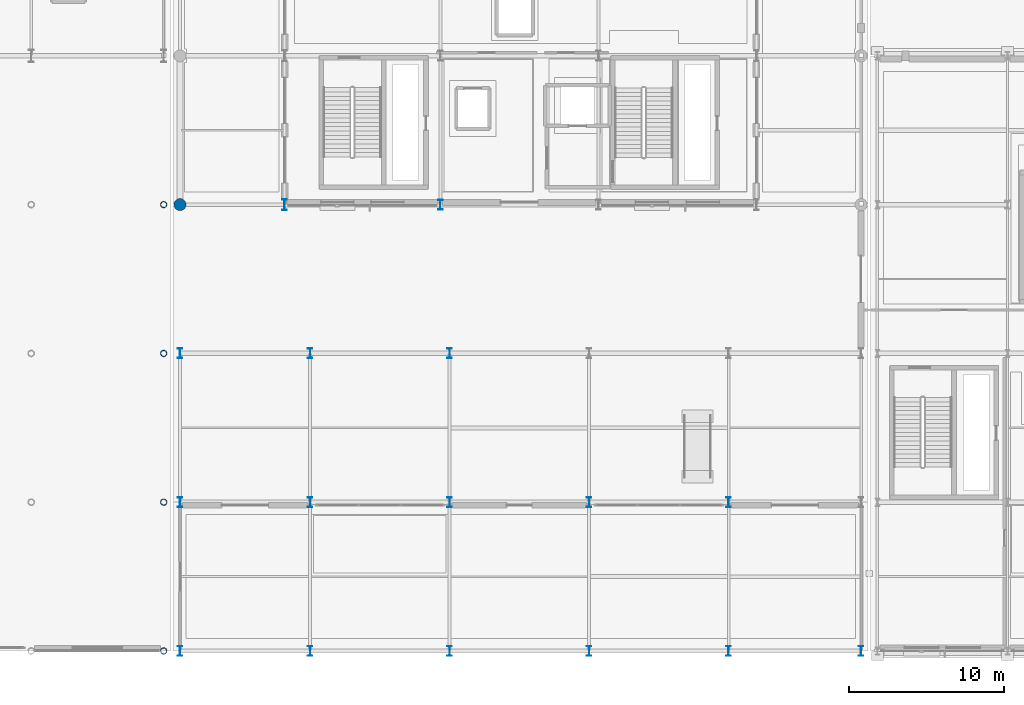
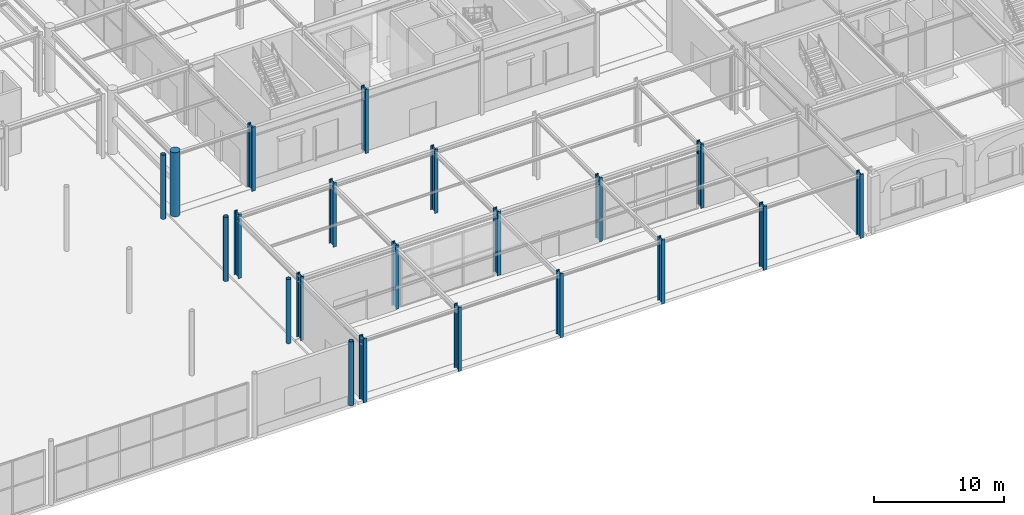
# One storey, part 6 of 113: 21 columns.
"""IFC4 building model written with IfcOpenShell, lengths in metres."""

import ifcopenshell
import ifcopenshell.guid

model = None  # the IFC model being written
_history = None  # IfcOwnerHistory: only IFC2X3 demands one
_inside = {}  # id of a spatial element -> (the spatial element, [elements in it])
_under = {}  # id of a project, library or spatial element -> (it, [spatial elements below it])
_declared = {}  # id of a project -> (the project, [libraries it declares])
_typed = {}  # id of a type object -> (the type object, [elements of that type])
_made_of = {}  # id of a material, layer set ... -> (it, [elements and type objects made of it])


def new_model(schema):
    """Start an empty IFC model of exactly this schema.

    Asked for "IFC4X3", IfcOpenShell would pick the latest addendum, in which some entities
    have other attributes; the version numbers below select the first issue.
    IFC2X3 requires an IfcOwnerHistory on every rooted entity: one is made here for all.
    """
    global model, _history
    if schema == "IFC4X3":
        model = ifcopenshell.file(schema_version=(4, 3, 0, 0))
    else:
        model = ifcopenshell.file(schema=schema)
    _inside.clear()
    _under.clear()
    _declared.clear()
    _typed.clear()
    _made_of.clear()
    _history = None
    if model.schema == "IFC2X3":
        org = make("IfcOrganization", Name="unknown")
        user = make(
            "IfcPersonAndOrganization",
            ThePerson=make("IfcPerson", FamilyName="unknown"),
            TheOrganization=org,
        )
        app = make(
            "IfcApplication",
            ApplicationDeveloper=org,
            Version="unknown",
            ApplicationFullName="unknown",
            ApplicationIdentifier="unknown",
        )
        _history = make(
            "IfcOwnerHistory",
            OwningUser=user,
            OwningApplication=app,
            ChangeAction="ADDED",
            CreationDate=0,
        )
    return model


def make(cls, **values):
    """One entity of the class cls with the attributes given. An attribute that is None is left unset."""
    return model.create_entity(
        cls, **{name: value for name, value in values.items() if value is not None}
    )


def rooted(cls, **values):
    """An entity with a GlobalId (a new one), such as an element, a storey or a relation."""
    return make(cls, GlobalId=ifcopenshell.guid.new(), OwnerHistory=_history, **values)


def si_unit(unit_type, name, prefix=None):
    """IfcSIUnit, for example si_unit("LENGTHUNIT", "METRE", prefix="MILLI")."""
    return make("IfcSIUnit", UnitType=unit_type, Prefix=prefix, Name=name)


def assignment(units):
    """IfcUnitAssignment: the units of a project."""
    return None if units is None else make("IfcUnitAssignment", Units=units)


def point(xyz):
    """IfcCartesianPoint."""
    return None if xyz is None else make("IfcCartesianPoint", Coordinates=xyz)


def direction(xyz):
    """IfcDirection."""
    return None if xyz is None else make("IfcDirection", DirectionRatios=xyz)


def frame(location, z_axis=None, x_axis=None):
    """IfcAxis2Placement3D, a coordinate frame: its origin and axes. An axis left out is left unset."""
    return make(
        "IfcAxis2Placement3D",
        Location=point(location),
        Axis=direction(z_axis),
        RefDirection=direction(x_axis),
    )


def frame_2d(location, x_axis=None):
    """IfcAxis2Placement2D, a coordinate frame in the plane: its origin and x axis."""
    return make(
        "IfcAxis2Placement2D", Location=point(location), RefDirection=direction(x_axis)
    )


def origin():
    """The frame at (0, 0, 0) with its axes left unset."""
    return frame((0.0, 0.0, 0.0))


def origin_2d():
    """The frame at (0, 0) in the plane with its x axis left unset."""
    return frame_2d((0.0, 0.0))


def place(relative_to, where):
    """IfcLocalPlacement: puts the frame where relative to a parent placement (None: the world)."""
    return make(
        "IfcLocalPlacement", PlacementRelTo=relative_to, RelativePlacement=where
    )


def context(
    kind, dimensions, precision=None, world=None, true_north=None, identifier=None
):
    """IfcGeometricRepresentationContext, for example the 3D "Model" context."""
    return make(
        "IfcGeometricRepresentationContext",
        ContextIdentifier=identifier,
        ContextType=kind,
        CoordinateSpaceDimension=dimensions,
        Precision=precision,
        WorldCoordinateSystem=world,
        TrueNorth=true_north,
    )


def subcontext(parent, identifier, kind, view, scale=None):
    """IfcGeometricRepresentationSubContext, for example "Body" below "Model"."""
    return make(
        "IfcGeometricRepresentationSubContext",
        ContextIdentifier=identifier,
        ContextType=kind,
        ParentContext=parent,
        TargetScale=scale,
        TargetView=view,
    )


def project(units=None, contexts=None):
    """IfcProject with its units and contexts."""
    return rooted(
        "IfcProject",
        Name="project",
        RepresentationContexts=contexts,
        UnitsInContext=assignment(units),
    )


def spatial(cls, under=None, at=None, **own):
    """A site, building, storey or space (cls), placed at a placement, below another one or the project."""
    s = rooted(cls, ObjectPlacement=at, **own)
    if under is not None:
        _under.setdefault(under.id(), (under, []))[1].append(s)
    return s


def profile(cls, at=None, kind="AREA", **sizes):
    """A parametric profile (cls). Its sizes go by their IFC names, for example OverallWidth=200.0."""
    return make(cls, ProfileType=kind, Position=at, **sizes)


def circle(**sizes):
    """IfcCircleProfileDef."""
    return profile("IfcCircleProfileDef", **sizes)


def hollow_circle(**sizes):
    """IfcCircleHollowProfileDef."""
    return profile("IfcCircleHollowProfileDef", **sizes)


def i_section(**sizes):
    """IfcIShapeProfileDef."""
    return profile("IfcIShapeProfileDef", **sizes)


def extrude(swept, where, along, depth):
    """IfcExtrudedAreaSolid: the profile swept, set in the frame where, extruded along a direction by depth."""
    return make(
        "IfcExtrudedAreaSolid",
        SweptArea=swept,
        Position=where,
        ExtrudedDirection=direction(along),
        Depth=depth,
    )


def shape(context_of_items, identifier, shape_type, items):
    """IfcShapeRepresentation: the items that make up one representation, for example the "Body"."""
    return make(
        "IfcShapeRepresentation",
        ContextOfItems=context_of_items,
        RepresentationIdentifier=identifier,
        RepresentationType=shape_type,
        Items=items,
    )


def material(Name=None, Category=None):
    """IfcMaterial."""
    return make("IfcMaterial", Name=Name, Category=Category)


def material_profile(
    of_material, cross_section, Name=None, Category=None, Priority=None
):
    """IfcMaterialProfile: a cross section and its material."""
    return make(
        "IfcMaterialProfile",
        Name=Name,
        Material=of_material,
        Profile=cross_section,
        Priority=Priority,
        Category=Category,
    )


def profile_set(profiles, Name=None, composite=None):
    """IfcMaterialProfileSet."""
    return make(
        "IfcMaterialProfileSet",
        Name=Name,
        MaterialProfiles=profiles,
        CompositeProfile=composite,
    )


def made_of(thing, what):
    """Note that an element or type object is made of a material, layer set ...; save() writes the relation."""
    if what is not None:
        _made_of.setdefault(what.id(), (what, []))[1].append(thing)
    return thing


def type_object(cls, material=None, **own):
    """A type object (cls), such as IfcWallType, which elements share."""
    return made_of(rooted(cls, **own), material)


def element(
    cls,
    number,
    at=None,
    inside=None,
    cuts=None,
    type_object=None,
    material=None,
    context=None,
    identifier="Body",
    shape_type=None,
    held_by="IfcProductDefinitionShape",
    body=None,
    shapes=None,
    **own,
):
    """One element of the class cls, such as IfcWall. Its Tag is "e" and its number.

    at: its placement. inside: the storey or other place that contains it. cuts: it is an
    opening in that element (IfcRelVoidsElement). A single representation is given by context,
    identifier, shape_type and body (its items); several are given by shapes. held_by: the class
    of the entity that holds the representations. save() writes the other relations.
    """
    e = rooted(cls, Tag="e%d" % number, ObjectPlacement=at, **own)
    if body is not None:
        shapes = [shape(context, identifier, shape_type, body)]
    if shapes is not None:
        e.Representation = make(held_by, Representations=shapes)
    if inside is not None:
        _inside.setdefault(inside.id(), (inside, []))[1].append(e)
    if cuts is not None:
        rooted(
            "IfcRelVoidsElement", RelatingBuildingElement=cuts, RelatedOpeningElement=e
        )
    if type_object is not None:
        _typed.setdefault(type_object.id(), (type_object, []))[1].append(e)
    return made_of(e, material)


def aggregate(whole, parts):
    """IfcRelAggregates: a whole, such as a stair, and the parts it consists of."""
    return rooted("IfcRelAggregates", RelatingObject=whole, RelatedObjects=parts)


def save(model, path):
    """Write the relations noted so far, then the file.

    IfcRelAggregates (storeys below a building ...), IfcRelContainedInSpatialStructure (elements
    in a storey), IfcRelDefinesByType, IfcRelAssociatesMaterial and IfcRelDeclares: one each for
    every whole, place, type object, material and project.
    """
    for whole, parts in _under.values():
        aggregate(whole, parts)
    for where, things in _inside.values():
        rooted(
            "IfcRelContainedInSpatialStructure",
            RelatedElements=things,
            RelatingStructure=where,
        )
    for kind, things in _typed.values():
        rooted("IfcRelDefinesByType", RelatedObjects=things, RelatingType=kind)
    for what, things in _made_of.values():
        rooted("IfcRelAssociatesMaterial", RelatedObjects=things, RelatingMaterial=what)
    for by, libraries in _declared.values():
        rooted("IfcRelDeclares", RelatingContext=by, RelatedDefinitions=libraries)
    model.write(path)


model = new_model("IFC4")

# Units and contexts
model_context = context("Model", 3, precision=1e-05, world=origin(), true_north=direction((0.0, 1.0)))
body_context = subcontext(model_context, "Body", "Model", "MODEL_VIEW")
ifc_project = project(units=[si_unit("LENGTHUNIT", "METRE"), si_unit("AREAUNIT", "SQUARE_METRE"), si_unit("VOLUMEUNIT", "CUBIC_METRE"), si_unit("PLANEANGLEUNIT", "RADIAN"), si_unit("MASSUNIT", "GRAM", prefix="KILO")], contexts=[model_context])

# Site, building, storey
site_placement = place(None, origin())
site = spatial("IfcSite", under=ifc_project, at=site_placement, CompositionType="ELEMENT")
building_placement = place(site_placement, origin())
building = spatial("IfcBuilding", under=site, at=building_placement, Name="Myrtia Square Station", CompositionType="ELEMENT")
storey_placement = place(building_placement, origin())
storey = spatial("IfcBuildingStorey", under=building, at=storey_placement, Name="L00", CompositionType="ELEMENT", Elevation=0.0)

# Columns
ifc_material_1 = material(Name="Steel S355", Category="steel")
ifc_material_profile_1 = material_profile(ifc_material_1, hollow_circle(Radius=0.203125, WallThickness=0.02001953125, at=origin_2d()), Name="CHS 406.4x20")
ifc_profile_set_1 = profile_set([ifc_material_profile_1], Name="Steel S355")
column_type_1 = type_object("IfcColumnType", Name="COL-CHS406", PredefinedType="COLUMN", material=ifc_profile_set_1)
for number, where, z_axis, x_axis, name in (
    (1, (71.550048828125, 0.0, 0.0), (0.0, 0.0, 1.0), (1.0, 0.0, 0.0), "Column L00-0200"),
    (2, (71.550048828125, 9.60009765625, 0.0), (0.0, 0.0, 1.0), (1.0, 0.0, 0.0), "Column L00-0203"),
    (3, (71.550048828125, 19.199951171875, 0.0), (0.0, 0.0, 1.0), (1.0, 0.0, 0.0), "Column L00-0206"),
    (4, (71.550048828125, 28.800048828125, 0.0), (0.0, 0.0, 1.0), (1.0, 0.0, 0.0), "Column L00-0209"),
):
    element("IfcColumn", number, at=place(storey_placement, frame(where, z_axis=z_axis, x_axis=x_axis)), inside=storey, type_object=column_type_1, Name=name, PredefinedType="COLUMN", context=body_context, shape_type="SweptSolid", body=[
        extrude(hollow_circle(Radius=0.203125, WallThickness=0.02001953125, at=origin_2d()), origin(), (0.0, 0.0, 1.0), 6.0),
    ])
ifc_material_profile_2 = material_profile(ifc_material_1, i_section(OverallWidth=0.300048828125, OverallDepth=0.639892578125, WebThickness=0.013427734375, FlangeThickness=0.02587890625, FilletRadius=0.027099609375, at=origin_2d()), Name="HEA 650")
ifc_profile_set_2 = profile_set([ifc_material_profile_2], Name="Steel S355")
column_type_2 = type_object("IfcColumnType", Name="COL-HEA650", PredefinedType="COLUMN", material=ifc_profile_set_2)
for number, where, z_axis, x_axis, name in (
    (5, (89.39990234375, 28.800048828125, 0.0), (0.0, 0.0, 1.0), (1.0, 0.0, 0.0), "Column L00-0418"),
    (6, (72.60009765625, 0.0, 0.0), (0.0, 0.0, 1.0), (1.0, 0.0, 0.0), "Column L00-0506"),
    (7, (72.60009765625, 9.60009765625, 0.0), (0.0, 0.0, 1.0), (1.0, 0.0, 0.0), "Column L00-0509"),
    (8, (72.60009765625, 19.199951171875, 0.0), (0.0, 0.0, 1.0), (1.0, 0.0, 0.0), "Column L00-0512"),
    (9, (81.0, 0.0, 0.0), (0.0, 0.0, 1.0), (1.0, 0.0, 0.0), "Column L00-0515"),
    (10, (81.0, 9.60009765625, 0.0), (0.0, 0.0, 1.0), (1.0, 0.0, 0.0), "Column L00-0518"),
    (11, (81.0, 19.199951171875, 0.0), (0.0, 0.0, 1.0), (1.0, 0.0, 0.0), "Column L00-0521"),
    (12, (90.0, 0.0, 0.0), (0.0, 0.0, 1.0), (1.0, 0.0, 0.0), "Column L00-0524"),
    (13, (90.0, 9.60009765625, 0.0), (0.0, 0.0, 1.0), (1.0, 0.0, 0.0), "Column L00-0527"),
    (14, (90.0, 19.199951171875, 0.0), (0.0, 0.0, 1.0), (1.0, 0.0, 0.0), "Column L00-0530"),
    (15, (99.0, 0.0, 0.0), (0.0, 0.0, 1.0), (1.0, 0.0, 0.0), "Column L00-0533"),
    (16, (99.0, 9.60009765625, 0.0), (0.0, 0.0, 1.0), (1.0, 0.0, 0.0), "Column L00-0536"),
    (17, (108.0, 0.0, 0.0), (0.0, 0.0, 1.0), (1.0, 0.0, 0.0), "Column L00-0542"),
    (18, (108.0, 9.60009765625, 0.0), (0.0, 0.0, 1.0), (1.0, 0.0, 0.0), "Column L00-0545"),
    (19, (116.550048828125, 0.0, 0.0), (0.0, 0.0, 1.0), (1.0, 0.0, 0.0), "Column L00-0551"),
):
    element("IfcColumn", number, at=place(storey_placement, frame(where, z_axis=z_axis, x_axis=x_axis)), inside=storey, type_object=column_type_2, Name=name, PredefinedType="COLUMN", context=body_context, shape_type="SweptSolid", body=[
        extrude(i_section(OverallWidth=0.300048828125, OverallDepth=0.639892578125, WebThickness=0.013427734375, FlangeThickness=0.02587890625, FilletRadius=0.027099609375, at=origin_2d()), origin(), (0.0, 0.0, 1.0), 6.0),
    ])
ifc_material_profile_3 = material_profile(ifc_material_1, i_section(OverallWidth=0.300048828125, OverallDepth=0.699951171875, WebThickness=0.01708984375, FlangeThickness=0.031982421875, FilletRadius=0.027099609375, at=origin_2d()), Name="HEB 700")
ifc_profile_set_3 = profile_set([ifc_material_profile_3], Name="Steel S355")
column_type_3 = type_object("IfcColumnType", Name="COL-HEB700", PredefinedType="COLUMN", material=ifc_profile_set_3)
column_1_placement = place(storey_placement, frame((79.35009765625, 28.800048828125, 0.0), z_axis=(0.0, 0.0, 1.0), x_axis=(1.0, 0.0, 0.0)))
element("IfcColumn", 20, at=column_1_placement, inside=storey, type_object=column_type_3, Name="Column L00-0252", PredefinedType="COLUMN", context=body_context, shape_type="SweptSolid", body=[
    extrude(i_section(OverallWidth=0.300048828125, OverallDepth=0.699951171875, WebThickness=0.01708984375, FlangeThickness=0.031982421875, FilletRadius=0.027099609375, at=origin_2d()), origin(), (0.0, 0.0, 1.0), 6.0),
])
ifc_material_2 = material(Name="Concrete C40/50", Category="concrete")
ifc_material_profile_4 = material_profile(ifc_material_2, circle(Radius=0.389892578125, at=origin_2d()), Name="RC D780")
ifc_profile_set_4 = profile_set([ifc_material_profile_4], Name="Concrete C40/50")
column_type_4 = type_object("IfcColumnType", Name="COL-RCD780", PredefinedType="COLUMN", material=ifc_profile_set_4)
column_2_placement = place(storey_placement, frame((72.60009765625, 28.800048828125, 0.0), z_axis=(0.0, 0.0, 1.0), x_axis=(1.0, 0.0, 0.0)))
element("IfcColumn", 21, at=column_2_placement, inside=storey, type_object=column_type_4, Name="Column L00-0242", PredefinedType="COLUMN", context=body_context, shape_type="SweptSolid", body=[
    extrude(circle(Radius=0.389892578125, at=origin_2d()), origin(), (0.0, 0.0, 1.0), 6.0),
])

save(model, "model.ifc")
